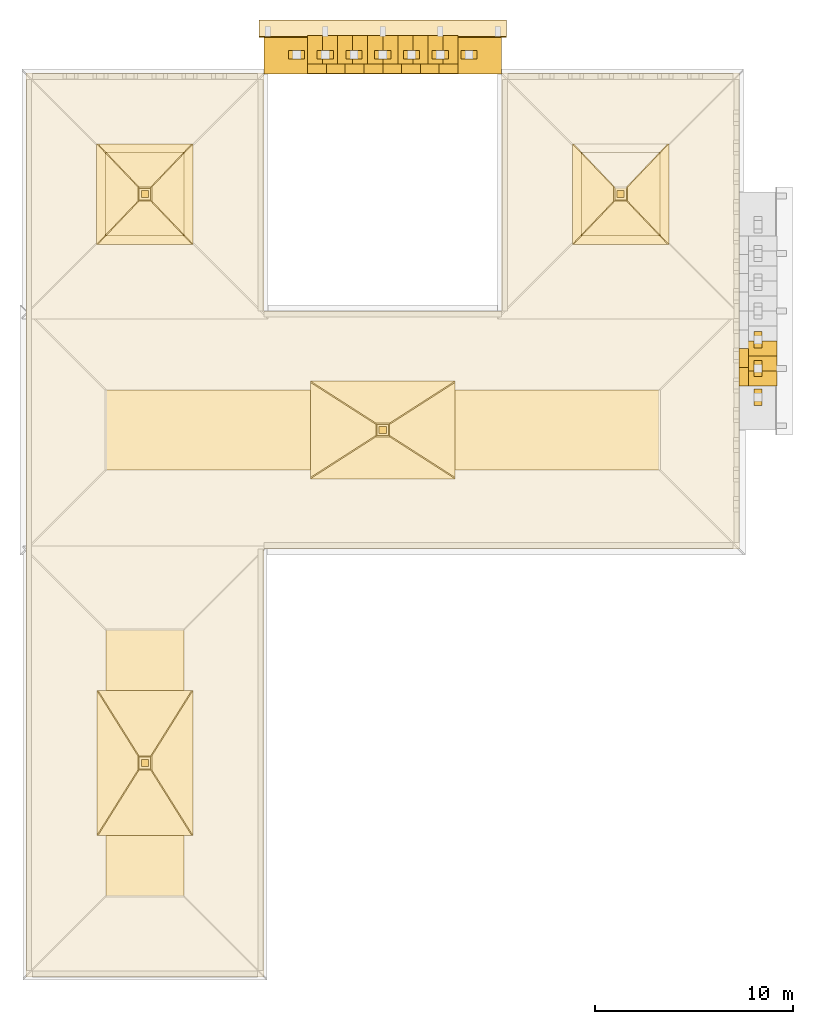
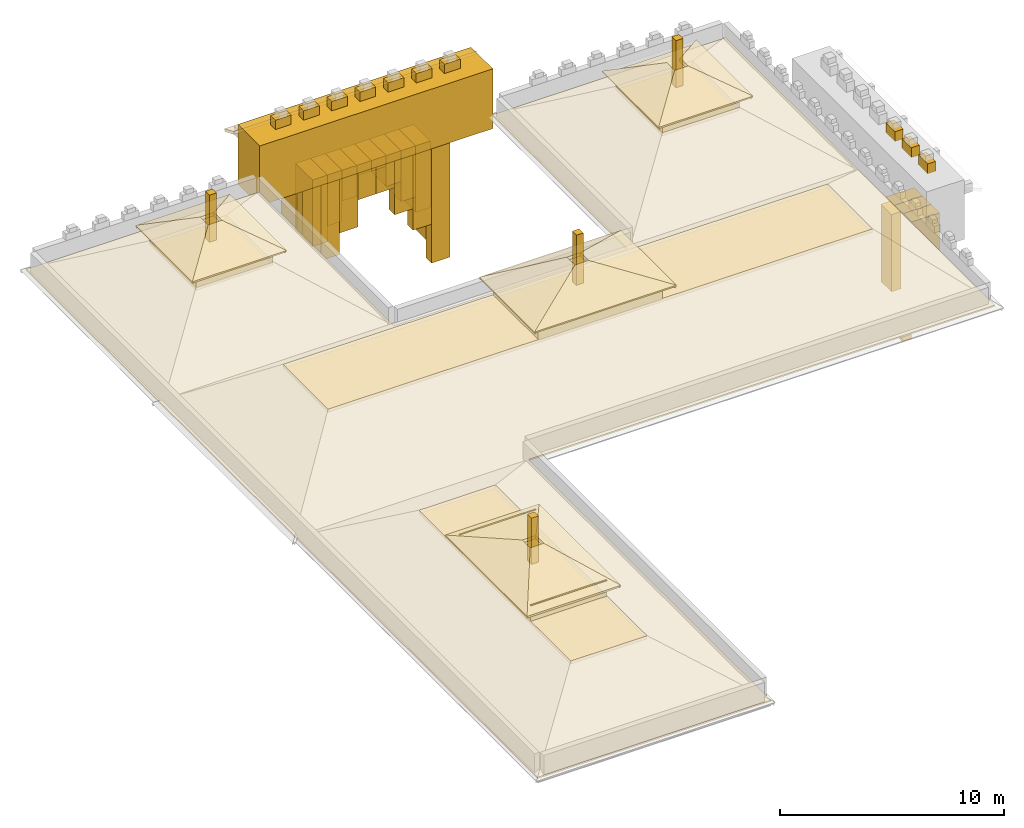
# One storey, part 2 of 4: 63 coverings.
"""IFC4 building model written with IfcOpenShell, lengths in metres."""

from ifc_helpers import new_model, si_unit, direction, frame, origin, place, context, subcontext, project, spatial, polyline, outline, extrude, material, layer, layer_set, type_object, element, save


model = new_model("IFC4")

# Units and contexts
model_context = context("Model", 3, precision=1e-05, world=origin(), true_north=direction((0.0, 1.0)))
body_context = subcontext(model_context, "Body", "Model", "MODEL_VIEW")
ifc_project = project(units=[si_unit("LENGTHUNIT", "METRE"), si_unit("AREAUNIT", "SQUARE_METRE"), si_unit("VOLUMEUNIT", "CUBIC_METRE"), si_unit("PLANEANGLEUNIT", "RADIAN"), si_unit("MASSUNIT", "GRAM", prefix="KILO")], contexts=[model_context])

# Site, building, storey
site_placement = place(None, origin())
site = spatial("IfcSite", under=ifc_project, at=site_placement, CompositionType="ELEMENT")
building_placement = place(site_placement, origin())
building = spatial("IfcBuilding", under=site, at=building_placement, Name="Zlatogorsky Bluff Art Gallery", CompositionType="ELEMENT")
storey_placement = place(building_placement, frame((0.0, 0.0, 28.199951171875)))
storey = spatial("IfcBuildingStorey", under=building, at=storey_placement, Name="RF", CompositionType="ELEMENT", Elevation=28.199951171875)

# Coverings
ifc_material_1 = material(Name="Honed Red Agra-Tone Quartzitic Sandstone", Category="masonry")
ifc_layer_1 = layer(ifc_material_1, 0.1201171875)
ifc_layer_set_1 = layer_set([ifc_layer_1], Name="Carved Sandstone Cladding CLD-02")
covering_type_1 = type_object("IfcCoveringType", Name="Carved Sandstone Cladding CLD-02", PredefinedType="CLADDING", material=ifc_layer_set_1)
covering_1_placement = place(storey_placement, frame((0.0, 0.0, -0.64990234375)))
element("IfcCovering", 1, at=covering_1_placement, inside=storey, type_object=covering_type_1, Name="Pishtaq portal crown entablature PISHTAQ-NE-NORTH", PredefinedType="CLADDING", context=body_context, shape_type="SweptSolid", body=[
    extrude(outline(polyline([(132.0, 107.9599609375), (144.0, 107.9599609375), (144.0, 109.89990234375), (132.0, 109.89990234375), (132.0, 107.9599609375)])), origin(), (0.0, 0.0, 1.0), 3.25),
])
covering_2_placement = place(storey_placement, frame((0.0, 0.0, -6.162353515625)))
element("IfcCovering", 2, at=covering_2_placement, inside=storey, type_object=covering_type_1, Name="Pointed Mughal arch voussoir spandrel PISHTAQ-NE-NORTH-ARCH.1", PredefinedType="CLADDING", context=body_context, shape_type="SweptSolid", body=[
    extrude(outline(polyline([(134.2099609375, 108.389892578125), (134.968017578125, 108.389892578125), (134.968017578125, 109.89990234375), (134.2099609375, 109.89990234375), (134.2099609375, 108.389892578125)])), origin(), (0.0, 0.0, 1.0), 5.6123046875),
])
covering_3_placement = place(storey_placement, frame((0.0, 0.0, -4.174560546875)))
element("IfcCovering", 3, at=covering_3_placement, inside=storey, type_object=covering_type_1, Name="Pointed Mughal arch voussoir spandrel PISHTAQ-NE-NORTH-ARCH.2", PredefinedType="CLADDING", context=body_context, shape_type="SweptSolid", body=[
    extrude(outline(polyline([(134.968017578125, 108.389892578125), (135.72607421875, 108.389892578125), (135.72607421875, 109.89990234375), (134.968017578125, 109.89990234375), (134.968017578125, 108.389892578125)])), origin(), (0.0, 0.0, 1.0), 3.62451171875),
])
covering_4_placement = place(storey_placement, frame((0.0, 0.0, -3.320068359375)))
element("IfcCovering", 4, at=covering_4_placement, inside=storey, type_object=covering_type_1, Name="Pointed Mughal arch voussoir spandrel PISHTAQ-NE-NORTH-ARCH.3", PredefinedType="CLADDING", context=body_context, shape_type="SweptSolid", body=[
    extrude(outline(polyline([(135.72607421875, 108.389892578125), (136.48388671875, 108.389892578125), (136.48388671875, 109.89990234375), (135.72607421875, 109.89990234375), (135.72607421875, 108.389892578125)])), origin(), (0.0, 0.0, 1.0), 2.77001953125),
])
covering_5_placement = place(storey_placement, frame((0.0, 0.0, -2.228271484375)))
element("IfcCovering", 5, at=covering_5_placement, inside=storey, type_object=covering_type_1, Name="Pointed Mughal arch voussoir spandrel PISHTAQ-NE-NORTH-ARCH.4", PredefinedType="CLADDING", context=body_context, shape_type="SweptSolid", body=[
    extrude(outline(polyline([(136.48388671875, 108.389892578125), (137.241943359375, 108.389892578125), (137.241943359375, 109.89990234375), (136.48388671875, 109.89990234375), (136.48388671875, 108.389892578125)])), origin(), (0.0, 0.0, 1.0), 1.67822265625),
])
covering_6_placement = place(storey_placement, frame((0.0, 0.0, -1.1201171875)))
element("IfcCovering", 6, at=covering_6_placement, inside=storey, type_object=covering_type_1, Name="Pointed Mughal arch voussoir spandrel PISHTAQ-NE-NORTH-ARCH.5", PredefinedType="CLADDING", context=body_context, shape_type="SweptSolid", body=[
    extrude(outline(polyline([(137.241943359375, 108.389892578125), (138.0, 108.389892578125), (138.0, 109.89990234375), (137.241943359375, 109.89990234375), (137.241943359375, 108.389892578125)])), origin(), (0.0, 0.0, 1.0), 0.570068359375),
])
covering_7_placement = place(storey_placement, frame((0.0, 0.0, -1.1201171875)))
element("IfcCovering", 7, at=covering_7_placement, inside=storey, type_object=covering_type_1, Name="Pointed Mughal arch voussoir spandrel PISHTAQ-NE-NORTH-ARCH.6", PredefinedType="CLADDING", context=body_context, shape_type="SweptSolid", body=[
    extrude(outline(polyline([(138.0, 108.389892578125), (138.758056640625, 108.389892578125), (138.758056640625, 109.89990234375), (138.0, 109.89990234375), (138.0, 108.389892578125)])), origin(), (0.0, 0.0, 1.0), 0.570068359375),
])
covering_8_placement = place(storey_placement, frame((0.0, 0.0, -2.228271484375)))
element("IfcCovering", 8, at=covering_8_placement, inside=storey, type_object=covering_type_1, Name="Pointed Mughal arch voussoir spandrel PISHTAQ-NE-NORTH-ARCH.7", PredefinedType="CLADDING", context=body_context, shape_type="SweptSolid", body=[
    extrude(outline(polyline([(138.758056640625, 108.389892578125), (139.51611328125, 108.389892578125), (139.51611328125, 109.89990234375), (138.758056640625, 109.89990234375), (138.758056640625, 108.389892578125)])), origin(), (0.0, 0.0, 1.0), 1.67822265625),
])
covering_9_placement = place(storey_placement, frame((0.0, 0.0, -3.320068359375)))
element("IfcCovering", 9, at=covering_9_placement, inside=storey, type_object=covering_type_1, Name="Pointed Mughal arch voussoir spandrel PISHTAQ-NE-NORTH-ARCH.8", PredefinedType="CLADDING", context=body_context, shape_type="SweptSolid", body=[
    extrude(outline(polyline([(139.51611328125, 108.389892578125), (140.27392578125, 108.389892578125), (140.27392578125, 109.89990234375), (139.51611328125, 109.89990234375), (139.51611328125, 108.389892578125)])), origin(), (0.0, 0.0, 1.0), 2.77001953125),
])
covering_10_placement = place(storey_placement, frame((0.0, 0.0, -4.174560546875)))
element("IfcCovering", 10, at=covering_10_placement, inside=storey, type_object=covering_type_1, Name="Pointed Mughal arch voussoir spandrel PISHTAQ-NE-NORTH-ARCH.9", PredefinedType="CLADDING", context=body_context, shape_type="SweptSolid", body=[
    extrude(outline(polyline([(140.27392578125, 108.389892578125), (141.031982421875, 108.389892578125), (141.031982421875, 109.89990234375), (140.27392578125, 109.89990234375), (140.27392578125, 108.389892578125)])), origin(), (0.0, 0.0, 1.0), 3.62451171875),
])
covering_11_placement = place(storey_placement, frame((0.0, 0.0, -6.162353515625)))
element("IfcCovering", 11, at=covering_11_placement, inside=storey, type_object=covering_type_1, Name="Pointed Mughal arch voussoir spandrel PISHTAQ-NE-NORTH-ARCH.10", PredefinedType="CLADDING", context=body_context, shape_type="SweptSolid", body=[
    extrude(outline(polyline([(141.031982421875, 108.389892578125), (141.7900390625, 108.389892578125), (141.7900390625, 109.89990234375), (141.031982421875, 109.89990234375), (141.031982421875, 108.389892578125)])), origin(), (0.0, 0.0, 1.0), 5.6123046875),
])
covering_12_placement = place(storey_placement, frame((0.0, 0.0, -6.88037109375)))
element("IfcCovering", 12, at=covering_12_placement, inside=storey, type_object=covering_type_1, Name="Pointed Mughal arch voussoir spandrel PISHTAQ-NE-NORTH-IWAN.1", PredefinedType="CLADDING", context=body_context, shape_type="SweptSolid", body=[
    extrude(outline(polyline([(134.2099609375, 107.969970703125), (135.157470703125, 107.969970703125), (135.157470703125, 108.4599609375), (134.2099609375, 108.4599609375), (134.2099609375, 107.969970703125)])), origin(), (0.0, 0.0, 1.0), 6.330322265625),
])
covering_13_placement = place(storey_placement, frame((0.0, 0.0, -4.7548828125)))
element("IfcCovering", 13, at=covering_13_placement, inside=storey, type_object=covering_type_1, Name="Pointed Mughal arch voussoir spandrel PISHTAQ-NE-NORTH-IWAN.2", PredefinedType="CLADDING", context=body_context, shape_type="SweptSolid", body=[
    extrude(outline(polyline([(135.157470703125, 107.969970703125), (136.10498046875, 107.969970703125), (136.10498046875, 108.4599609375), (135.157470703125, 108.4599609375), (135.157470703125, 107.969970703125)])), origin(), (0.0, 0.0, 1.0), 4.204833984375),
])
covering_14_placement = place(storey_placement, frame((0.0, 0.0, -3.5830078125)))
element("IfcCovering", 14, at=covering_14_placement, inside=storey, type_object=covering_type_1, Name="Pointed Mughal arch voussoir spandrel PISHTAQ-NE-NORTH-IWAN.3", PredefinedType="CLADDING", context=body_context, shape_type="SweptSolid", body=[
    extrude(outline(polyline([(136.10498046875, 107.969970703125), (137.052490234375, 107.969970703125), (137.052490234375, 108.4599609375), (136.10498046875, 108.4599609375), (136.10498046875, 107.969970703125)])), origin(), (0.0, 0.0, 1.0), 3.032958984375),
])
covering_15_placement = place(storey_placement, frame((0.0, 0.0, -2.108642578125)))
element("IfcCovering", 15, at=covering_15_placement, inside=storey, type_object=covering_type_1, Name="Pointed Mughal arch voussoir spandrel PISHTAQ-NE-NORTH-IWAN.4", PredefinedType="CLADDING", context=body_context, shape_type="SweptSolid", body=[
    extrude(outline(polyline([(137.052490234375, 107.969970703125), (138.0, 107.969970703125), (138.0, 108.4599609375), (137.052490234375, 108.4599609375), (137.052490234375, 107.969970703125)])), origin(), (0.0, 0.0, 1.0), 1.55859375),
])
covering_16_placement = place(storey_placement, frame((0.0, 0.0, -2.108642578125)))
element("IfcCovering", 16, at=covering_16_placement, inside=storey, type_object=covering_type_1, Name="Pointed Mughal arch voussoir spandrel PISHTAQ-NE-NORTH-IWAN.5", PredefinedType="CLADDING", context=body_context, shape_type="SweptSolid", body=[
    extrude(outline(polyline([(138.0, 107.969970703125), (138.947509765625, 107.969970703125), (138.947509765625, 108.4599609375), (138.0, 108.4599609375), (138.0, 107.969970703125)])), origin(), (0.0, 0.0, 1.0), 1.55859375),
])
covering_17_placement = place(storey_placement, frame((0.0, 0.0, -3.5830078125)))
element("IfcCovering", 17, at=covering_17_placement, inside=storey, type_object=covering_type_1, Name="Pointed Mughal arch voussoir spandrel PISHTAQ-NE-NORTH-IWAN.6", PredefinedType="CLADDING", context=body_context, shape_type="SweptSolid", body=[
    extrude(outline(polyline([(138.947509765625, 107.969970703125), (139.89501953125, 107.969970703125), (139.89501953125, 108.4599609375), (138.947509765625, 108.4599609375), (138.947509765625, 107.969970703125)])), origin(), (0.0, 0.0, 1.0), 3.032958984375),
])
covering_18_placement = place(storey_placement, frame((0.0, 0.0, -4.7548828125)))
element("IfcCovering", 18, at=covering_18_placement, inside=storey, type_object=covering_type_1, Name="Pointed Mughal arch voussoir spandrel PISHTAQ-NE-NORTH-IWAN.7", PredefinedType="CLADDING", context=body_context, shape_type="SweptSolid", body=[
    extrude(outline(polyline([(139.89501953125, 107.969970703125), (140.842529296875, 107.969970703125), (140.842529296875, 108.4599609375), (139.89501953125, 108.4599609375), (139.89501953125, 107.969970703125)])), origin(), (0.0, 0.0, 1.0), 4.204833984375),
])
covering_19_placement = place(storey_placement, frame((0.0, 0.0, -6.88037109375)))
element("IfcCovering", 19, at=covering_19_placement, inside=storey, type_object=covering_type_1, Name="Pointed Mughal arch voussoir spandrel PISHTAQ-NE-NORTH-IWAN.8", PredefinedType="CLADDING", context=body_context, shape_type="SweptSolid", body=[
    extrude(outline(polyline([(140.842529296875, 107.969970703125), (141.7900390625, 107.969970703125), (141.7900390625, 108.4599609375), (140.842529296875, 108.4599609375), (140.842529296875, 107.969970703125)])), origin(), (0.0, 0.0, 1.0), 6.330322265625),
])
covering_20_placement = place(storey_placement, frame((131.75, 109.860107421875, 2.320068359375), z_axis=(0.0, 0.383169585951, 0.923678011215), x_axis=(1.0, 0.0, 0.0)))
element("IfcCovering", 20, at=covering_20_placement, inside=storey, type_object=covering_type_1, Name="Projecting sloped Mughal chhajja stone eave PISHTAQ-NE-NORTH-CHJ", PredefinedType="CLADDING", context=body_context, shape_type="SweptSolid", body=[
    extrude(outline(polyline([(0.0, 0.0), (12.5, 0.0), (12.5, 0.8875649401586398), (0.0, 0.8875649401586398), (0.0, 0.0)])), origin(), (0.0, 0.0, -1.0), 0.139892578125),
])
covering_21_placement = place(storey_placement, frame((0.0, 0.0, 2.570068359375)))
element("IfcCovering", 21, at=covering_21_placement, inside=storey, type_object=covering_type_1, Name="Kangura stepped merlon base PISHTAQ-NE-NORTH.1", PredefinedType="CLADDING", context=body_context, shape_type="SweptSolid", body=[
    extrude(outline(polyline([(133.239990234375, 108.719970703125), (134.06005859375, 108.719970703125), (134.06005859375, 109.139892578125), (133.239990234375, 109.139892578125), (133.239990234375, 108.719970703125)])), origin(), (0.0, 0.0, 1.0), 0.538330078125),
])
covering_22_placement = place(storey_placement, frame((0.0, 0.0, 2.570068359375)))
element("IfcCovering", 22, at=covering_22_placement, inside=storey, type_object=covering_type_1, Name="Kangura stepped merlon base PISHTAQ-NE-NORTH.2", PredefinedType="CLADDING", context=body_context, shape_type="SweptSolid", body=[
    extrude(outline(polyline([(134.68994140625, 108.719970703125), (135.510009765625, 108.719970703125), (135.510009765625, 109.139892578125), (134.68994140625, 109.139892578125), (134.68994140625, 108.719970703125)])), origin(), (0.0, 0.0, 1.0), 0.538330078125),
])
covering_23_placement = place(storey_placement, frame((0.0, 0.0, 2.570068359375)))
element("IfcCovering", 23, at=covering_23_placement, inside=storey, type_object=covering_type_1, Name="Kangura stepped merlon base PISHTAQ-NE-NORTH.3", PredefinedType="CLADDING", context=body_context, shape_type="SweptSolid", body=[
    extrude(outline(polyline([(136.139892578125, 108.719970703125), (136.9599609375, 108.719970703125), (136.9599609375, 109.139892578125), (136.139892578125, 109.139892578125), (136.139892578125, 108.719970703125)])), origin(), (0.0, 0.0, 1.0), 0.538330078125),
])
covering_24_placement = place(storey_placement, frame((0.0, 0.0, 2.570068359375)))
element("IfcCovering", 24, at=covering_24_placement, inside=storey, type_object=covering_type_1, Name="Kangura stepped merlon base PISHTAQ-NE-NORTH.4", PredefinedType="CLADDING", context=body_context, shape_type="SweptSolid", body=[
    extrude(outline(polyline([(137.590087890625, 108.719970703125), (138.409912109375, 108.719970703125), (138.409912109375, 109.139892578125), (137.590087890625, 109.139892578125), (137.590087890625, 108.719970703125)])), origin(), (0.0, 0.0, 1.0), 0.538330078125),
])
covering_25_placement = place(storey_placement, frame((0.0, 0.0, 2.570068359375)))
element("IfcCovering", 25, at=covering_25_placement, inside=storey, type_object=covering_type_1, Name="Kangura stepped merlon base PISHTAQ-NE-NORTH.5", PredefinedType="CLADDING", context=body_context, shape_type="SweptSolid", body=[
    extrude(outline(polyline([(139.0400390625, 108.719970703125), (139.860107421875, 108.719970703125), (139.860107421875, 109.139892578125), (139.0400390625, 109.139892578125), (139.0400390625, 108.719970703125)])), origin(), (0.0, 0.0, 1.0), 0.538330078125),
])
covering_26_placement = place(storey_placement, frame((0.0, 0.0, 2.570068359375)))
element("IfcCovering", 26, at=covering_26_placement, inside=storey, type_object=covering_type_1, Name="Kangura stepped merlon base PISHTAQ-NE-NORTH.6", PredefinedType="CLADDING", context=body_context, shape_type="SweptSolid", body=[
    extrude(outline(polyline([(140.489990234375, 108.719970703125), (141.31005859375, 108.719970703125), (141.31005859375, 109.139892578125), (140.489990234375, 109.139892578125), (140.489990234375, 108.719970703125)])), origin(), (0.0, 0.0, 1.0), 0.538330078125),
])
covering_27_placement = place(storey_placement, frame((0.0, 0.0, 2.570068359375)))
element("IfcCovering", 27, at=covering_27_placement, inside=storey, type_object=covering_type_1, Name="Kangura stepped merlon base PISHTAQ-NE-NORTH.7", PredefinedType="CLADDING", context=body_context, shape_type="SweptSolid", body=[
    extrude(outline(polyline([(141.93994140625, 108.719970703125), (142.760009765625, 108.719970703125), (142.760009765625, 109.139892578125), (141.93994140625, 109.139892578125), (141.93994140625, 108.719970703125)])), origin(), (0.0, 0.0, 1.0), 0.538330078125),
])
covering_28_placement = place(storey_placement, frame((0.0, 0.0, -6.162353515625)))
element("IfcCovering", 28, at=covering_28_placement, inside=storey, type_object=covering_type_1, Name="Pointed Mughal arch voussoir spandrel PISHTAQ-NE-EAST-ARCH.1", PredefinedType="CLADDING", context=body_context, shape_type="SweptSolid", body=[
    extrude(outline(polyline([(156.389892578125, 92.2099609375), (156.389892578125, 92.968017578125), (157.89990234375, 92.968017578125), (157.89990234375, 92.2099609375), (156.389892578125, 92.2099609375)])), origin(), (0.0, 0.0, 1.0), 5.6123046875),
])
covering_29_placement = place(storey_placement, frame((0.0, 0.0, -4.174560546875)))
element("IfcCovering", 29, at=covering_29_placement, inside=storey, type_object=covering_type_1, Name="Pointed Mughal arch voussoir spandrel PISHTAQ-NE-EAST-ARCH.2", PredefinedType="CLADDING", context=body_context, shape_type="SweptSolid", body=[
    extrude(outline(polyline([(156.389892578125, 92.968017578125), (156.389892578125, 93.72607421875), (157.89990234375, 93.72607421875), (157.89990234375, 92.968017578125), (156.389892578125, 92.968017578125)])), origin(), (0.0, 0.0, 1.0), 3.62451171875),
])
covering_30_placement = place(storey_placement, frame((0.0, 0.0, -3.320068359375)))
element("IfcCovering", 30, at=covering_30_placement, inside=storey, type_object=covering_type_1, Name="Pointed Mughal arch voussoir spandrel PISHTAQ-NE-EAST-ARCH.3", PredefinedType="CLADDING", context=body_context, shape_type="SweptSolid", body=[
    extrude(outline(polyline([(156.389892578125, 93.72607421875), (156.389892578125, 94.48388671875), (157.89990234375, 94.48388671875), (157.89990234375, 93.72607421875), (156.389892578125, 93.72607421875)])), origin(), (0.0, 0.0, 1.0), 2.77001953125),
])
covering_31_placement = place(storey_placement, frame((0.0, 0.0, -6.88037109375)))
element("IfcCovering", 31, at=covering_31_placement, inside=storey, type_object=covering_type_1, Name="Pointed Mughal arch voussoir spandrel PISHTAQ-NE-EAST-IWAN.1", PredefinedType="CLADDING", context=body_context, shape_type="SweptSolid", body=[
    extrude(outline(polyline([(155.969970703125, 92.2099609375), (155.969970703125, 93.157470703125), (156.4599609375, 93.157470703125), (156.4599609375, 92.2099609375), (155.969970703125, 92.2099609375)])), origin(), (0.0, 0.0, 1.0), 6.330322265625),
])
covering_32_placement = place(storey_placement, frame((0.0, 0.0, -4.7548828125)))
element("IfcCovering", 32, at=covering_32_placement, inside=storey, type_object=covering_type_1, Name="Pointed Mughal arch voussoir spandrel PISHTAQ-NE-EAST-IWAN.2", PredefinedType="CLADDING", context=body_context, shape_type="SweptSolid", body=[
    extrude(outline(polyline([(155.969970703125, 93.157470703125), (155.969970703125, 94.10498046875), (156.4599609375, 94.10498046875), (156.4599609375, 93.157470703125), (155.969970703125, 93.157470703125)])), origin(), (0.0, 0.0, 1.0), 4.204833984375),
])
covering_33_placement = place(storey_placement, frame((0.0, 0.0, 2.570068359375)))
element("IfcCovering", 33, at=covering_33_placement, inside=storey, type_object=covering_type_1, Name="Kangura stepped merlon base PISHTAQ-NE-EAST.1", PredefinedType="CLADDING", context=body_context, shape_type="SweptSolid", body=[
    extrude(outline(polyline([(156.719970703125, 91.239990234375), (156.719970703125, 92.06005859375), (157.139892578125, 92.06005859375), (157.139892578125, 91.239990234375), (156.719970703125, 91.239990234375)])), origin(), (0.0, 0.0, 1.0), 0.538330078125),
])
covering_34_placement = place(storey_placement, frame((0.0, 0.0, 2.570068359375)))
element("IfcCovering", 34, at=covering_34_placement, inside=storey, type_object=covering_type_1, Name="Kangura stepped merlon base PISHTAQ-NE-EAST.2", PredefinedType="CLADDING", context=body_context, shape_type="SweptSolid", body=[
    extrude(outline(polyline([(156.719970703125, 92.68994140625), (156.719970703125, 93.510009765625), (157.139892578125, 93.510009765625), (157.139892578125, 92.68994140625), (156.719970703125, 92.68994140625)])), origin(), (0.0, 0.0, 1.0), 0.538330078125),
])
covering_35_placement = place(storey_placement, frame((0.0, 0.0, 2.570068359375)))
element("IfcCovering", 35, at=covering_35_placement, inside=storey, type_object=covering_type_1, Name="Kangura stepped merlon base PISHTAQ-NE-EAST.3", PredefinedType="CLADDING", context=body_context, shape_type="SweptSolid", body=[
    extrude(outline(polyline([(156.719970703125, 94.139892578125), (156.719970703125, 94.9599609375), (157.139892578125, 94.9599609375), (157.139892578125, 94.139892578125), (156.719970703125, 94.139892578125)])), origin(), (0.0, 0.0, 1.0), 0.538330078125),
])
covering_36_placement = place(storey_placement, frame((0.0, 0.0, 3.02001953125)))
element("IfcCovering", 36, at=covering_36_placement, inside=storey, type_object=covering_type_1, Name="Mughal pavilion upper deck RF-NE-PAV-MAIN", PredefinedType="CLADDING", context=body_context, shape_type="SweptSolid", body=[
    extrude(outline(polyline([(123.98388671875, 87.98388671875), (152.01611328125, 87.98388671875), (152.01611328125, 92.01611328125), (123.98388671875, 92.01611328125), (123.98388671875, 87.98388671875)])), origin(), (0.0, 0.0, 1.0), 0.179931640625),
])
covering_37_placement = place(storey_placement, frame((0.0, 0.0, 3.16015625)))
element("IfcCovering", 37, at=covering_37_placement, inside=storey, type_object=covering_type_1, Name="Mughal chhatri lantern pavilion drum RF-NE-PAV-MAIN", PredefinedType="CLADDING", context=body_context, shape_type="SweptSolid", body=[
    extrude(outline(polyline([(134.800048828125, 87.98388671875), (141.199951171875, 87.98388671875), (141.199951171875, 92.01611328125), (134.800048828125, 92.01611328125), (134.800048828125, 87.98388671875)])), origin(), (0.0, 0.0, 1.0), 1.040771484375),
])
for number, where, z_axis, x_axis, name in (
    (38, (134.35009765625, 87.533935546875, 4.041015625), (0.0, -0.498882514474, 0.866669623762), (1.0, 0.0, 0.0), "Mughal chhatri pavilion cap RF-NE-PAV-MAIN.CS"),
    (39, (141.64990234375, 92.466064453125, 4.041015625), (0.0, 0.498882514474, 0.866669623762), (-1.0, 0.0, 0.0), "Mughal chhatri pavilion cap RF-NE-PAV-MAIN.CN"),
):
    element("IfcCovering", number, at=place(storey_placement, frame(where, z_axis=z_axis, x_axis=x_axis)), inside=storey, type_object=covering_type_1, Name=name, PredefinedType="CLADDING", context=body_context, shape_type="SweptSolid", body=[
        extrude(outline(polyline([(0.0, 0.0), (7.2998046875, 0.0), (4.0, 2.441491819789478), (3.2998046875, 2.441491819789478), (0.0, 0.0)])), origin(), (0.0, 0.0, -1.0), 0.139892578125),
    ])
for number, where, z_axis, x_axis, name in (
    (40, (134.35009765625, 92.466064453125, 4.041015625), (-0.346281049118, 0.0, 0.93813081978), (0.0, -1.0, 0.0), "Mughal chhatri pavilion cap RF-NE-PAV-MAIN.CW"),
    (41, (141.64990234375, 87.533935546875, 4.041015625), (0.346281049118, 0.0, 0.93813081978), (0.0, 1.0, 0.0), "Mughal chhatri pavilion cap RF-NE-PAV-MAIN.CE"),
):
    element("IfcCovering", number, at=place(storey_placement, frame(where, z_axis=z_axis, x_axis=x_axis)), inside=storey, type_object=covering_type_1, Name=name, PredefinedType="CLADDING", context=body_context, shape_type="SweptSolid", body=[
        extrude(outline(polyline([(0.0, 0.0), (4.93212890625, 0.0), (2.816162109375, 3.517424881396682), (2.115966796875, 3.517424881396682), (0.0, 0.0)])), origin(), (0.0, 0.0, -1.0), 0.139892578125),
    ])
covering_38_placement = place(storey_placement, frame((0.0, 0.0, 2.469970703125)))
element("IfcCovering", 42, at=covering_38_placement, inside=storey, type_object=covering_type_1, Name="Mughal pavilion upper deck RF-NE-CHHATRI-W", PredefinedType="CLADDING", context=body_context, shape_type="SweptSolid", body=[
    extrude(outline(polyline([(124.01611328125, 99.81591796875), (127.98388671875, 99.81591796875), (127.98388671875, 103.98388671875), (124.01611328125, 103.98388671875), (124.01611328125, 99.81591796875)])), origin(), (0.0, 0.0, 1.0), 0.18017578125),
])
covering_39_placement = place(storey_placement, frame((0.0, 0.0, 2.610107421875)))
element("IfcCovering", 43, at=covering_39_placement, inside=storey, type_object=covering_type_1, Name="Mughal chhatri lantern pavilion drum RF-NE-CHHATRI-W", PredefinedType="CLADDING", context=body_context, shape_type="SweptSolid", body=[
    extrude(outline(polyline([(124.01611328125, 99.81591796875), (127.98388671875, 99.81591796875), (127.98388671875, 103.98388671875), (124.01611328125, 103.98388671875), (124.01611328125, 99.81591796875)])), origin(), (0.0, 0.0, 1.0), 0.925048828125),
])
for number, where, z_axis, x_axis, name in (
    (44, (123.56591796875, 99.365966796875, 3.375), (0.0, -0.433297582152, 0.901250911401), (1.0, 0.0, 0.0), "Mughal chhatri pavilion cap RF-NE-CHHATRI-W.CS"),
    (45, (128.43408203125, 104.43408203125, 3.375), (0.0, 0.433297582152, 0.901250911401), (-1.0, 0.0, 0.0), "Mughal chhatri pavilion cap RF-NE-CHHATRI-W.CN"),
):
    element("IfcCovering", number, at=place(storey_placement, frame(where, z_axis=z_axis, x_axis=x_axis)), inside=storey, type_object=covering_type_1, Name=name, PredefinedType="CLADDING", context=body_context, shape_type="SweptSolid", body=[
        extrude(outline(polyline([(0.0, 0.0), (4.8681640625, 0.0), (2.7841796875, 2.4233895396068315), (2.083984375, 2.4233895396068315), (0.0, 0.0)])), origin(), (0.0, 0.0, -1.0), 0.139892578125),
    ])
for number, where, z_axis, x_axis, name in (
    (46, (123.56591796875, 104.43408203125, 3.375), (-0.449973448609, 0.0, 0.893041933812), (0.0, -1.0, 0.0), "Mughal chhatri pavilion cap RF-NE-CHHATRI-W.CW"),
    (47, (128.43408203125, 99.365966796875, 3.375), (0.449973448609, 0.0, 0.893041933812), (0.0, 1.0, 0.0), "Mughal chhatri pavilion cap RF-NE-CHHATRI-W.CE"),
):
    element("IfcCovering", number, at=place(storey_placement, frame(where, z_axis=z_axis, x_axis=x_axis)), inside=storey, type_object=covering_type_1, Name=name, PredefinedType="CLADDING", context=body_context, shape_type="SweptSolid", body=[
        extrude(outline(polyline([(0.0, 0.0), (5.068115234375, 0.0), (2.884033203125, 2.3335795286835257), (2.18408203125, 2.3335795286835257), (0.0, 0.0)])), origin(), (0.0, 0.0, -1.0), 0.139892578125),
    ])
covering_40_placement = place(storey_placement, frame((0.0, 0.0, 2.469970703125)))
element("IfcCovering", 48, at=covering_40_placement, inside=storey, type_object=covering_type_1, Name="Mughal pavilion upper deck RF-NE-CHHATRI-E", PredefinedType="CLADDING", context=body_context, shape_type="SweptSolid", body=[
    extrude(outline(polyline([(148.01611328125, 99.81591796875), (151.98388671875, 99.81591796875), (151.98388671875, 103.98388671875), (148.01611328125, 103.98388671875), (148.01611328125, 99.81591796875)])), origin(), (0.0, 0.0, 1.0), 0.18017578125),
])
covering_41_placement = place(storey_placement, frame((0.0, 0.0, 2.610107421875)))
element("IfcCovering", 49, at=covering_41_placement, inside=storey, type_object=covering_type_1, Name="Mughal chhatri lantern pavilion drum RF-NE-CHHATRI-E", PredefinedType="CLADDING", context=body_context, shape_type="SweptSolid", body=[
    extrude(outline(polyline([(148.01611328125, 99.81591796875), (151.98388671875, 99.81591796875), (151.98388671875, 103.98388671875), (148.01611328125, 103.98388671875), (148.01611328125, 99.81591796875)])), origin(), (0.0, 0.0, 1.0), 0.925048828125),
])
covering_42_placement = place(storey_placement, frame((147.56591796875, 99.365966796875, 3.375), z_axis=(0.0, -0.433297582152, 0.901250911401), x_axis=(1.0, 0.0, 0.0)))
element("IfcCovering", 50, at=covering_42_placement, inside=storey, type_object=covering_type_1, Name="Mughal chhatri pavilion cap RF-NE-CHHATRI-E.CS", PredefinedType="CLADDING", context=body_context, shape_type="SweptSolid", body=[
    extrude(outline(polyline([(0.0, 0.0), (4.8681640625, 0.0), (2.7841796875, 2.4233895396068315), (2.083984375, 2.4233895396068315), (0.0, 0.0)])), origin(), (0.0, 0.0, -1.0), 0.139892578125),
])
for number, where, z_axis, x_axis, name in (
    (51, (147.56591796875, 104.43408203125, 3.375), (-0.449973448609, 0.0, 0.893041933812), (0.0, -1.0, 0.0), "Mughal chhatri pavilion cap RF-NE-CHHATRI-E.CW"),
    (52, (152.43408203125, 99.365966796875, 3.375), (0.449973448609, 0.0, 0.893041933812), (0.0, 1.0, 0.0), "Mughal chhatri pavilion cap RF-NE-CHHATRI-E.CE"),
):
    element("IfcCovering", number, at=place(storey_placement, frame(where, z_axis=z_axis, x_axis=x_axis)), inside=storey, type_object=covering_type_1, Name=name, PredefinedType="CLADDING", context=body_context, shape_type="SweptSolid", body=[
        extrude(outline(polyline([(0.0, 0.0), (5.068115234375, 0.0), (2.884033203125, 2.3335795286835257), (2.18408203125, 2.3335795286835257), (0.0, 0.0)])), origin(), (0.0, 0.0, -1.0), 0.139892578125),
    ])
covering_43_placement = place(storey_placement, frame((0.0, 0.0, 2.3701171875)))
element("IfcCovering", 53, at=covering_43_placement, inside=storey, type_object=covering_type_1, Name="Mughal pavilion upper deck RF-ELINK-PAV", PredefinedType="CLADDING", context=body_context, shape_type="SweptSolid", body=[
    extrude(outline(polyline([(124.031982421875, 66.431884765625), (127.968017578125, 66.431884765625), (127.968017578125, 79.968017578125), (124.031982421875, 79.968017578125), (124.031982421875, 66.431884765625)])), origin(), (0.0, 0.0, 1.0), 0.179931640625),
])
covering_44_placement = place(storey_placement, frame((0.0, 0.0, 2.510009765625)))
element("IfcCovering", 54, at=covering_44_placement, inside=storey, type_object=covering_type_1, Name="Mughal chhatri lantern pavilion drum RF-ELINK-PAV", PredefinedType="CLADDING", context=body_context, shape_type="SweptSolid", body=[
    extrude(outline(polyline([(124.031982421875, 70.0), (127.968017578125, 70.0), (127.968017578125, 76.39990234375), (124.031982421875, 76.39990234375), (124.031982421875, 70.0)])), origin(), (0.0, 0.0, 1.0), 0.89599609375),
])
for number, where, z_axis, x_axis, name in (
    (55, (123.58203125, 69.550048828125, 3.24609375), (0.0, -0.292141240056, 0.956375185719), (1.0, 0.0, 0.0), "Mughal chhatri pavilion cap RF-ELINK-PAV.CS"),
    (56, (128.41796875, 76.85009765625, 3.24609375), (0.0, 0.292141240056, 0.956375185719), (-1.0, 0.0, 0.0), "Mughal chhatri pavilion cap RF-ELINK-PAV.CN"),
):
    element("IfcCovering", number, at=place(storey_placement, frame(where, z_axis=z_axis, x_axis=x_axis)), inside=storey, type_object=covering_type_1, Name=name, PredefinedType="CLADDING", context=body_context, shape_type="SweptSolid", body=[
        extrude(outline(polyline([(0.0, 0.0), (4.8359375, 0.0), (2.76806640625, 3.45057972791781), (2.06787109375, 3.45057972791781), (0.0, 0.0)])), origin(), (0.0, 0.0, -1.0), 0.139892578125),
    ])
for number, where, z_axis, x_axis, name in (
    (57, (123.58203125, 76.85009765625, 3.24609375), (-0.438191528782, 0.0, 0.89888162964), (0.0, -1.0, 0.0), "Mughal chhatri pavilion cap RF-ELINK-PAV.CW"),
    (58, (128.41796875, 69.550048828125, 3.24609375), (0.438191528782, 0.0, 0.89888162964), (0.0, 1.0, 0.0), "Mughal chhatri pavilion cap RF-ELINK-PAV.CE"),
):
    element("IfcCovering", number, at=place(storey_placement, frame(where, z_axis=z_axis, x_axis=x_axis)), inside=storey, type_object=covering_type_1, Name=name, PredefinedType="CLADDING", context=body_context, shape_type="SweptSolid", body=[
        extrude(outline(polyline([(0.0, 0.0), (7.300048828125, 0.0), (4.0, 2.300493219089111), (3.300048828125, 2.300493219089111), (0.0, 0.0)])), origin(), (0.0, 0.0, -1.0), 0.139892578125),
    ])
ifc_material_2 = material(Name="EPDM and Red-Sandstone Ballast Roofing", Category="masonry")
ifc_layer_2 = layer(ifc_material_2, 0.080078125)
ifc_layer_set_2 = layer_set([ifc_layer_2], Name="Insulated Roof Membrane RFM-01")
covering_type_2 = type_object("IfcCoveringType", Name="Insulated Roof Membrane RFM-01", PredefinedType="ROOFING", material=ifc_layer_set_2)
covering_45_placement = place(storey_placement, origin())
element("IfcCovering", 59, at=covering_45_placement, inside=storey, type_object=covering_type_2, Name="Roof membrane ROOF-FLAT-RF-01", PredefinedType="ROOFING", context=body_context, shape_type="SweptSolid", body=[
    extrude(outline(polyline([(120.0, 62.39990234375), (120.0, 74.39990234375), (120.0, 84.0), (120.0, 96.0), (120.0, 108.0), (132.0, 108.0), (132.0, 96.0), (144.0, 96.0), (144.0, 108.0), (156.0, 108.0), (156.0, 96.0), (156.0, 84.0), (144.0, 84.0), (132.0, 84.0), (132.0, 74.39990234375), (132.0, 62.39990234375), (120.0, 62.39990234375)])), origin(), (0.0, 0.0, 1.0), 0.080078125),
])
ifc_material_3 = material(Name="Patinated Architectural Bronze Fin", Category="metal")
ifc_layer_3 = layer(ifc_material_3, 0.110107421875)
ifc_layer_set_3 = layer_set([ifc_layer_3], Name="Vertical Gallery Fin FIN-01")
covering_type_3 = type_object("IfcCoveringType", Name="Vertical Gallery Fin FIN-01", PredefinedType="CLADDING", material=ifc_layer_set_3)
covering_46_placement = place(storey_placement, frame((0.0, 0.0, 3.98095703125)))
element("IfcCovering", 60, at=covering_46_placement, inside=storey, type_object=covering_type_3, Name="Bronze kalasha pinnacle finial RF-NE-PAV-MAIN", PredefinedType="CLADDING", context=body_context, shape_type="SweptSolid", body=[
    extrude(outline(polyline([(137.820068359375, 89.820068359375), (138.179931640625, 89.820068359375), (138.179931640625, 90.179931640625), (137.820068359375, 90.179931640625), (137.820068359375, 89.820068359375)])), origin(), (0.0, 0.0, 1.0), 2.72802734375),
])
covering_47_placement = place(storey_placement, frame((0.0, 0.0, 3.31494140625)))
element("IfcCovering", 61, at=covering_47_placement, inside=storey, type_object=covering_type_3, Name="Bronze kalasha pinnacle finial RF-NE-CHHATRI-W", PredefinedType="CLADDING", context=body_context, shape_type="SweptSolid", body=[
    extrude(outline(polyline([(125.820068359375, 101.719970703125), (126.179931640625, 101.719970703125), (126.179931640625, 102.080078125), (125.820068359375, 102.080078125), (125.820068359375, 101.719970703125)])), origin(), (0.0, 0.0, 1.0), 2.56005859375),
])
covering_48_placement = place(storey_placement, frame((0.0, 0.0, 3.31494140625)))
element("IfcCovering", 62, at=covering_48_placement, inside=storey, type_object=covering_type_3, Name="Bronze kalasha pinnacle finial RF-NE-CHHATRI-E", PredefinedType="CLADDING", context=body_context, shape_type="SweptSolid", body=[
    extrude(outline(polyline([(149.820068359375, 101.719970703125), (150.179931640625, 101.719970703125), (150.179931640625, 102.080078125), (149.820068359375, 102.080078125), (149.820068359375, 101.719970703125)])), origin(), (0.0, 0.0, 1.0), 2.56005859375),
])
covering_49_placement = place(storey_placement, frame((0.0, 0.0, 3.18603515625)))
element("IfcCovering", 63, at=covering_49_placement, inside=storey, type_object=covering_type_3, Name="Bronze kalasha pinnacle finial RF-ELINK-PAV", PredefinedType="CLADDING", context=body_context, shape_type="SweptSolid", body=[
    extrude(outline(polyline([(125.820068359375, 73.02001953125), (126.179931640625, 73.02001953125), (126.179931640625, 73.3798828125), (125.820068359375, 73.3798828125), (125.820068359375, 73.02001953125)])), origin(), (0.0, 0.0, 1.0), 2.51806640625),
])

save(model, "model.ifc")
